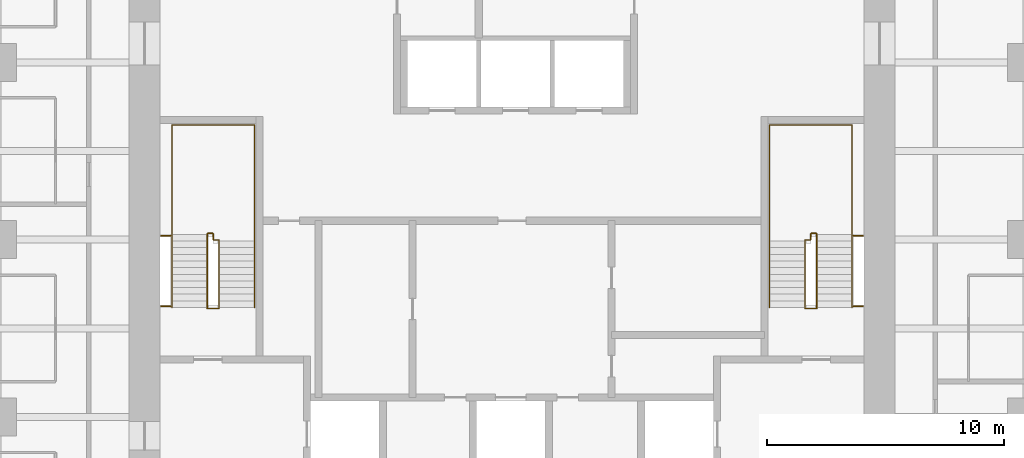
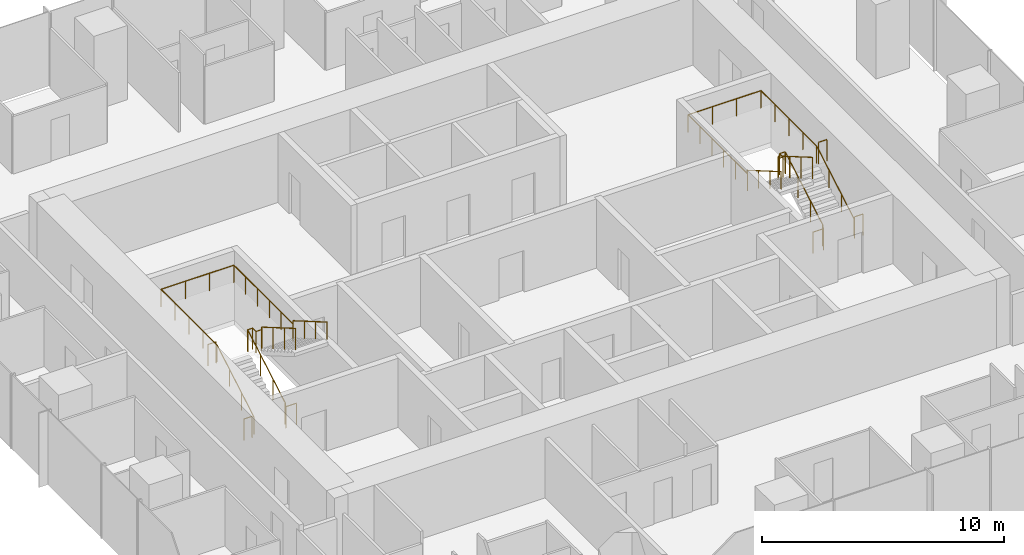
# One storey, part 12 of 12: 8 railings.
"""IFC4 building model written with IfcOpenShell, lengths in metres."""

import ifcopenshell
import ifcopenshell.guid

model = None  # the IFC model being written
_history = None  # IfcOwnerHistory: only IFC2X3 demands one
_inside = {}  # id of a spatial element -> (the spatial element, [elements in it])
_under = {}  # id of a project, library or spatial element -> (it, [spatial elements below it])
_declared = {}  # id of a project -> (the project, [libraries it declares])
_typed = {}  # id of a type object -> (the type object, [elements of that type])
_made_of = {}  # id of a material, layer set ... -> (it, [elements and type objects made of it])


def new_model(schema):
    """Start an empty IFC model of exactly this schema.

    Asked for "IFC4X3", IfcOpenShell would pick the latest addendum, in which some entities
    have other attributes; the version numbers below select the first issue.
    IFC2X3 requires an IfcOwnerHistory on every rooted entity: one is made here for all.
    """
    global model, _history
    if schema == "IFC4X3":
        model = ifcopenshell.file(schema_version=(4, 3, 0, 0))
    else:
        model = ifcopenshell.file(schema=schema)
    _inside.clear()
    _under.clear()
    _declared.clear()
    _typed.clear()
    _made_of.clear()
    _history = None
    if model.schema == "IFC2X3":
        org = make("IfcOrganization", Name="unknown")
        user = make(
            "IfcPersonAndOrganization",
            ThePerson=make("IfcPerson", FamilyName="unknown"),
            TheOrganization=org,
        )
        app = make(
            "IfcApplication",
            ApplicationDeveloper=org,
            Version="unknown",
            ApplicationFullName="unknown",
            ApplicationIdentifier="unknown",
        )
        _history = make(
            "IfcOwnerHistory",
            OwningUser=user,
            OwningApplication=app,
            ChangeAction="ADDED",
            CreationDate=0,
        )
    return model


def make(cls, **values):
    """One entity of the class cls with the attributes given. An attribute that is None is left unset."""
    return model.create_entity(
        cls, **{name: value for name, value in values.items() if value is not None}
    )


def rooted(cls, **values):
    """An entity with a GlobalId (a new one), such as an element, a storey or a relation."""
    return make(cls, GlobalId=ifcopenshell.guid.new(), OwnerHistory=_history, **values)


def si_unit(unit_type, name, prefix=None):
    """IfcSIUnit, for example si_unit("LENGTHUNIT", "METRE", prefix="MILLI")."""
    return make("IfcSIUnit", UnitType=unit_type, Prefix=prefix, Name=name)


def assignment(units):
    """IfcUnitAssignment: the units of a project."""
    return None if units is None else make("IfcUnitAssignment", Units=units)


def point(xyz):
    """IfcCartesianPoint."""
    return None if xyz is None else make("IfcCartesianPoint", Coordinates=xyz)


def direction(xyz):
    """IfcDirection."""
    return None if xyz is None else make("IfcDirection", DirectionRatios=xyz)


def frame(location, z_axis=None, x_axis=None):
    """IfcAxis2Placement3D, a coordinate frame: its origin and axes. An axis left out is left unset."""
    return make(
        "IfcAxis2Placement3D",
        Location=point(location),
        Axis=direction(z_axis),
        RefDirection=direction(x_axis),
    )


def frame_2d(location, x_axis=None):
    """IfcAxis2Placement2D, a coordinate frame in the plane: its origin and x axis."""
    return make(
        "IfcAxis2Placement2D", Location=point(location), RefDirection=direction(x_axis)
    )


def origin():
    """The frame at (0, 0, 0) with its axes left unset."""
    return frame((0.0, 0.0, 0.0))


def origin_2d():
    """The frame at (0, 0) in the plane with its x axis left unset."""
    return frame_2d((0.0, 0.0))


def place(relative_to, where):
    """IfcLocalPlacement: puts the frame where relative to a parent placement (None: the world)."""
    return make(
        "IfcLocalPlacement", PlacementRelTo=relative_to, RelativePlacement=where
    )


def context(
    kind, dimensions, precision=None, world=None, true_north=None, identifier=None
):
    """IfcGeometricRepresentationContext, for example the 3D "Model" context."""
    return make(
        "IfcGeometricRepresentationContext",
        ContextIdentifier=identifier,
        ContextType=kind,
        CoordinateSpaceDimension=dimensions,
        Precision=precision,
        WorldCoordinateSystem=world,
        TrueNorth=true_north,
    )


def subcontext(parent, identifier, kind, view, scale=None):
    """IfcGeometricRepresentationSubContext, for example "Body" below "Model"."""
    return make(
        "IfcGeometricRepresentationSubContext",
        ContextIdentifier=identifier,
        ContextType=kind,
        ParentContext=parent,
        TargetScale=scale,
        TargetView=view,
    )


def project(units=None, contexts=None):
    """IfcProject with its units and contexts."""
    return rooted(
        "IfcProject",
        Name="project",
        RepresentationContexts=contexts,
        UnitsInContext=assignment(units),
    )


def spatial(cls, under=None, at=None, **own):
    """A site, building, storey or space (cls), placed at a placement, below another one or the project."""
    s = rooted(cls, ObjectPlacement=at, **own)
    if under is not None:
        _under.setdefault(under.id(), (under, []))[1].append(s)
    return s


def profile(cls, at=None, kind="AREA", **sizes):
    """A parametric profile (cls). Its sizes go by their IFC names, for example OverallWidth=200.0."""
    return make(cls, ProfileType=kind, Position=at, **sizes)


def circle(**sizes):
    """IfcCircleProfileDef."""
    return profile("IfcCircleProfileDef", **sizes)


def extrude(swept, where, along, depth):
    """IfcExtrudedAreaSolid: the profile swept, set in the frame where, extruded along a direction by depth."""
    return make(
        "IfcExtrudedAreaSolid",
        SweptArea=swept,
        Position=where,
        ExtrudedDirection=direction(along),
        Depth=depth,
    )


def shape(context_of_items, identifier, shape_type, items):
    """IfcShapeRepresentation: the items that make up one representation, for example the "Body"."""
    return make(
        "IfcShapeRepresentation",
        ContextOfItems=context_of_items,
        RepresentationIdentifier=identifier,
        RepresentationType=shape_type,
        Items=items,
    )


def material(Name=None, Category=None):
    """IfcMaterial."""
    return make("IfcMaterial", Name=Name, Category=Category)


def made_of(thing, what):
    """Note that an element or type object is made of a material, layer set ...; save() writes the relation."""
    if what is not None:
        _made_of.setdefault(what.id(), (what, []))[1].append(thing)
    return thing


def type_object(cls, material=None, **own):
    """A type object (cls), such as IfcWallType, which elements share."""
    return made_of(rooted(cls, **own), material)


def element(
    cls,
    number,
    at=None,
    inside=None,
    cuts=None,
    type_object=None,
    material=None,
    context=None,
    identifier="Body",
    shape_type=None,
    held_by="IfcProductDefinitionShape",
    body=None,
    shapes=None,
    **own,
):
    """One element of the class cls, such as IfcWall. Its Tag is "e" and its number.

    at: its placement. inside: the storey or other place that contains it. cuts: it is an
    opening in that element (IfcRelVoidsElement). A single representation is given by context,
    identifier, shape_type and body (its items); several are given by shapes. held_by: the class
    of the entity that holds the representations. save() writes the other relations.
    """
    e = rooted(cls, Tag="e%d" % number, ObjectPlacement=at, **own)
    if body is not None:
        shapes = [shape(context, identifier, shape_type, body)]
    if shapes is not None:
        e.Representation = make(held_by, Representations=shapes)
    if inside is not None:
        _inside.setdefault(inside.id(), (inside, []))[1].append(e)
    if cuts is not None:
        rooted(
            "IfcRelVoidsElement", RelatingBuildingElement=cuts, RelatedOpeningElement=e
        )
    if type_object is not None:
        _typed.setdefault(type_object.id(), (type_object, []))[1].append(e)
    return made_of(e, material)


def aggregate(whole, parts):
    """IfcRelAggregates: a whole, such as a stair, and the parts it consists of."""
    return rooted("IfcRelAggregates", RelatingObject=whole, RelatedObjects=parts)


def save(model, path):
    """Write the relations noted so far, then the file.

    IfcRelAggregates (storeys below a building ...), IfcRelContainedInSpatialStructure (elements
    in a storey), IfcRelDefinesByType, IfcRelAssociatesMaterial and IfcRelDeclares: one each for
    every whole, place, type object, material and project.
    """
    for whole, parts in _under.values():
        aggregate(whole, parts)
    for where, things in _inside.values():
        rooted(
            "IfcRelContainedInSpatialStructure",
            RelatedElements=things,
            RelatingStructure=where,
        )
    for kind, things in _typed.values():
        rooted("IfcRelDefinesByType", RelatedObjects=things, RelatingType=kind)
    for what, things in _made_of.values():
        rooted("IfcRelAssociatesMaterial", RelatedObjects=things, RelatingMaterial=what)
    for by, libraries in _declared.values():
        rooted("IfcRelDeclares", RelatingContext=by, RelatedDefinitions=libraries)
    model.write(path)


model = new_model("IFC4")

# Units and contexts
model_context = context("Model", 3, precision=1e-05, world=origin(), true_north=direction((0.0, 1.0)))
body_context = subcontext(model_context, "Body", "Model", "MODEL_VIEW")
ifc_project = project(units=[si_unit("LENGTHUNIT", "METRE"), si_unit("AREAUNIT", "SQUARE_METRE"), si_unit("VOLUMEUNIT", "CUBIC_METRE"), si_unit("PLANEANGLEUNIT", "RADIAN"), si_unit("MASSUNIT", "GRAM", prefix="KILO")], contexts=[model_context])

# Site, building, storey
site_placement = place(None, origin())
site = spatial("IfcSite", under=ifc_project, at=site_placement, CompositionType="ELEMENT")
building_placement = place(site_placement, origin())
building = spatial("IfcBuilding", under=site, at=building_placement, Name="Khuree Lantern Residences", CompositionType="ELEMENT")
storey_placement = place(building_placement, frame((0.0, 0.0, 319.5)))
storey = spatial("IfcBuildingStorey", under=building, at=storey_placement, Name="L80", CompositionType="ELEMENT", Elevation=319.5)

# Railings
ifc_material = material(Name="Steel S355", Category="steel")
railing_type_1 = type_object("IfcRailingType", Name="STAIR GUARD G1 1100", PredefinedType="GUARDRAIL", material=ifc_material)
railing_1_placement = place(storey_placement, frame((-12.35009765625, -2.909912109375, 0.0)))
element("IfcRailing", 1, at=railing_1_placement, inside=storey, type_object=railing_type_1, Name="Stair ST1 guard", PredefinedType="GUARDRAIL", context=body_context, shape_type="SweptSolid", body=[
    extrude(circle(Radius=0.02392578125, at=origin_2d()), frame((0.0, 0.0, 1.076171875), z_axis=(-1.0, 0.0, 0.0), x_axis=(0.0, -1.0, 0.0)), (0.0, 0.0, 1.0), 0.5),
    extrude(circle(Radius=0.02392578125, at=origin_2d()), frame((-0.5, 0.0, 1.076171875), z_axis=(0.0, 0.292073035251, 0.95639601739), x_axis=(-1.0, 0.0, 0.0)), (0.0, 0.0, 1.0), 0.17041015625),
    extrude(circle(Radius=0.02392578125, at=origin_2d()), frame((-0.5, 0.0498046875, 1.2392578125), z_axis=(0.0, 0.864176135923, 0.503189433615), x_axis=(-1.0, 0.0, 0.0)), (0.0, 0.0, 1.0), 3.564208984375),
    extrude(circle(Radius=0.02392578125, at=origin_2d()), frame((-0.5, 3.1298828125, 3.03271484375), z_axis=(0.0, 1.0, 0.0), x_axis=(-1.0, 0.0, 0.0)), (0.0, 0.0, 1.0), 0.050048828125),
    extrude(circle(Radius=0.02392578125, at=origin_2d()), frame((-0.5, 3.179931640625, 3.03271484375), z_axis=(1.0, 0.0, 0.0), x_axis=(0.0, 1.0, 0.0)), (0.0, 0.0, 1.0), 0.25),
    extrude(circle(Radius=0.02392578125, at=origin_2d()), frame((-0.25, 3.179931640625, 3.03271484375), z_axis=(0.0, -1.0, 0.0), x_axis=(1.0, 0.0, 0.0)), (0.0, 0.0, 1.0), 0.280029296875),
    extrude(circle(Radius=0.02392578125, at=origin_2d()), frame((-0.25, 2.89990234375, 3.03271484375), z_axis=(1.0, 0.0, 0.0), x_axis=(0.0, 1.0, 0.0)), (0.0, 0.0, 1.0), 0.25),
    extrude(circle(Radius=0.02392578125, at=origin_2d()), frame((0.0, 2.89990234375, 3.03271484375), z_axis=(0.0, -0.293381807449, 0.955995353053), x_axis=(1.0, 0.0, 0.0)), (0.0, 0.0, 1.0), 0.170654296875),
    extrude(circle(Radius=0.02392578125, at=origin_2d()), frame((0.0, 2.849853515625, 3.19580078125), z_axis=(0.0, -0.864180358799, 0.503182181189), x_axis=(1.0, 0.0, 0.0)), (0.0, 0.0, 1.0), 3.240234375),
    extrude(circle(Radius=0.02099609375, at=origin_2d()), origin(), (0.0, 0.0, 1.0), 1.052001953125),
    extrude(circle(Radius=0.02099609375, at=origin_2d()), frame((-0.5, 0.0, 0.0)), (0.0, 0.0, 1.0), 1.052001953125),
    extrude(circle(Radius=0.02099609375, at=origin_2d()), frame((-0.5, 0.0498046875, 0.1630859375)), (0.0, 0.0, 1.0), 1.052001953125),
    extrude(circle(Radius=0.02099609375, at=origin_2d()), frame((-0.5, 1.076416015625, 0.760986328125)), (0.0, 0.0, 1.0), 1.052001953125),
    extrude(circle(Radius=0.02099609375, at=origin_2d()), frame((-0.5, 2.103271484375, 1.358642578125)), (0.0, 0.0, 1.0), 1.052001953125),
    extrude(circle(Radius=0.02099609375, at=origin_2d()), frame((-0.5, 3.1298828125, 1.95654296875)), (0.0, 0.0, 1.0), 1.052001953125),
    extrude(circle(Radius=0.02099609375, at=origin_2d()), frame((-0.5, 3.179931640625, 1.95654296875)), (0.0, 0.0, 1.0), 1.052001953125),
    extrude(circle(Radius=0.02099609375, at=origin_2d()), frame((-0.25, 3.179931640625, 1.95654296875)), (0.0, 0.0, 1.0), 1.052001953125),
    extrude(circle(Radius=0.02099609375, at=origin_2d()), frame((-0.25, 2.89990234375, 1.95654296875)), (0.0, 0.0, 1.0), 1.052001953125),
    extrude(circle(Radius=0.02099609375, at=origin_2d()), frame((0.0, 2.89990234375, 1.95654296875)), (0.0, 0.0, 1.0), 1.052001953125),
    extrude(circle(Radius=0.02099609375, at=origin_2d()), frame((0.0, 2.849853515625, 2.11962890625)), (0.0, 0.0, 1.0), 1.052001953125),
    extrude(circle(Radius=0.02099609375, at=origin_2d()), frame((0.0, 1.91650390625, 2.6630859375)), (0.0, 0.0, 1.0), 1.052001953125),
    extrude(circle(Radius=0.02099609375, at=origin_2d()), frame((0.0, 0.983154296875, 3.20654296875)), (0.0, 0.0, 1.0), 1.052001953125),
    extrude(circle(Radius=0.02099609375, at=origin_2d()), frame((0.0, 0.0498046875, 3.75)), (0.0, 0.0, 1.0), 1.052001953125),
])
for number, where, name in (
    (2, (-14.800048828125, -2.81005859375, 0.0), "Stair ST1 landing slot guard"),
    (3, (-14.800048828125, 0.169921875, 1.95654296875), "Stair ST1 landing slot guard"),
):
    element("IfcRailing", number, at=place(storey_placement, frame(where)), inside=storey, type_object=railing_type_1, Name=name, PredefinedType="GUARDRAIL", context=body_context, shape_type="SweptSolid", body=[
        extrude(circle(Radius=0.02392578125, at=origin_2d()), frame((0.0, 0.0, 1.076171875), z_axis=(1.0, 0.0, 0.0), x_axis=(0.0, 1.0, 0.0)), (0.0, 0.0, 1.0), 0.400146484375),
        extrude(circle(Radius=0.02099609375, at=origin_2d()), origin(), (0.0, 0.0, 1.0), 1.052001953125),
        extrude(circle(Radius=0.02099609375, at=origin_2d()), frame((0.400146484375, 0.0, 0.0)), (0.0, 0.0, 1.0), 1.052001953125),
    ])
railing_2_placement = place(storey_placement, frame((12.35009765625, -2.909912109375, 0.0)))
element("IfcRailing", 4, at=railing_2_placement, inside=storey, type_object=railing_type_1, Name="Stair ST2 guard", PredefinedType="GUARDRAIL", context=body_context, shape_type="SweptSolid", body=[
    extrude(circle(Radius=0.02392578125, at=origin_2d()), frame((0.0, 0.0, 1.076171875), z_axis=(1.0, 0.0, 0.0), x_axis=(0.0, 1.0, 0.0)), (0.0, 0.0, 1.0), 0.5),
    extrude(circle(Radius=0.02392578125, at=origin_2d()), frame((0.5, 0.0, 1.076171875), z_axis=(0.0, 0.292073035251, 0.95639601739), x_axis=(-1.0, 0.0, 0.0)), (0.0, 0.0, 1.0), 0.17041015625),
    extrude(circle(Radius=0.02392578125, at=origin_2d()), frame((0.5, 0.0498046875, 1.2392578125), z_axis=(0.0, 0.864176135923, 0.503189433615), x_axis=(-1.0, 0.0, 0.0)), (0.0, 0.0, 1.0), 3.564208984375),
    extrude(circle(Radius=0.02392578125, at=origin_2d()), frame((0.5, 3.1298828125, 3.03271484375), z_axis=(0.0, 1.0, 0.0), x_axis=(-1.0, 0.0, 0.0)), (0.0, 0.0, 1.0), 0.050048828125),
    extrude(circle(Radius=0.02392578125, at=origin_2d()), frame((0.5, 3.179931640625, 3.03271484375), z_axis=(-1.0, 0.0, 0.0), x_axis=(0.0, -1.0, 0.0)), (0.0, 0.0, 1.0), 0.25),
    extrude(circle(Radius=0.02392578125, at=origin_2d()), frame((0.25, 3.179931640625, 3.03271484375), z_axis=(0.0, -1.0, 0.0), x_axis=(1.0, 0.0, 0.0)), (0.0, 0.0, 1.0), 0.280029296875),
    extrude(circle(Radius=0.02392578125, at=origin_2d()), frame((0.25, 2.89990234375, 3.03271484375), z_axis=(-1.0, 0.0, 0.0), x_axis=(0.0, -1.0, 0.0)), (0.0, 0.0, 1.0), 0.25),
    extrude(circle(Radius=0.02392578125, at=origin_2d()), frame((0.0, 2.89990234375, 3.03271484375), z_axis=(0.0, -0.293381807449, 0.955995353053), x_axis=(1.0, 0.0, 0.0)), (0.0, 0.0, 1.0), 0.170654296875),
    extrude(circle(Radius=0.02392578125, at=origin_2d()), frame((0.0, 2.849853515625, 3.19580078125), z_axis=(0.0, -0.864180358799, 0.503182181189), x_axis=(1.0, 0.0, 0.0)), (0.0, 0.0, 1.0), 3.240234375),
    extrude(circle(Radius=0.02099609375, at=origin_2d()), origin(), (0.0, 0.0, 1.0), 1.052001953125),
    extrude(circle(Radius=0.02099609375, at=origin_2d()), frame((0.5, 0.0, 0.0)), (0.0, 0.0, 1.0), 1.052001953125),
    extrude(circle(Radius=0.02099609375, at=origin_2d()), frame((0.5, 0.0498046875, 0.1630859375)), (0.0, 0.0, 1.0), 1.052001953125),
    extrude(circle(Radius=0.02099609375, at=origin_2d()), frame((0.5, 1.076416015625, 0.760986328125)), (0.0, 0.0, 1.0), 1.052001953125),
    extrude(circle(Radius=0.02099609375, at=origin_2d()), frame((0.5, 2.103271484375, 1.358642578125)), (0.0, 0.0, 1.0), 1.052001953125),
    extrude(circle(Radius=0.02099609375, at=origin_2d()), frame((0.5, 3.1298828125, 1.95654296875)), (0.0, 0.0, 1.0), 1.052001953125),
    extrude(circle(Radius=0.02099609375, at=origin_2d()), frame((0.5, 3.179931640625, 1.95654296875)), (0.0, 0.0, 1.0), 1.052001953125),
    extrude(circle(Radius=0.02099609375, at=origin_2d()), frame((0.25, 3.179931640625, 1.95654296875)), (0.0, 0.0, 1.0), 1.052001953125),
    extrude(circle(Radius=0.02099609375, at=origin_2d()), frame((0.25, 2.89990234375, 1.95654296875)), (0.0, 0.0, 1.0), 1.052001953125),
    extrude(circle(Radius=0.02099609375, at=origin_2d()), frame((0.0, 2.89990234375, 1.95654296875)), (0.0, 0.0, 1.0), 1.052001953125),
    extrude(circle(Radius=0.02099609375, at=origin_2d()), frame((0.0, 2.849853515625, 2.11962890625)), (0.0, 0.0, 1.0), 1.052001953125),
    extrude(circle(Radius=0.02099609375, at=origin_2d()), frame((0.0, 1.91650390625, 2.6630859375)), (0.0, 0.0, 1.0), 1.052001953125),
    extrude(circle(Radius=0.02099609375, at=origin_2d()), frame((0.0, 0.983154296875, 3.20654296875)), (0.0, 0.0, 1.0), 1.052001953125),
    extrude(circle(Radius=0.02099609375, at=origin_2d()), frame((0.0, 0.0498046875, 3.75)), (0.0, 0.0, 1.0), 1.052001953125),
])
for number, where, name in (
    (5, (14.800048828125, -2.81005859375, 0.0), "Stair ST2 landing slot guard"),
    (6, (14.800048828125, 0.169921875, 1.95654296875), "Stair ST2 landing slot guard"),
):
    element("IfcRailing", number, at=place(storey_placement, frame(where)), inside=storey, type_object=railing_type_1, Name=name, PredefinedType="GUARDRAIL", context=body_context, shape_type="SweptSolid", body=[
        extrude(circle(Radius=0.02392578125, at=origin_2d()), frame((0.0, 0.0, 1.076171875), z_axis=(-1.0, 0.0, 0.0), x_axis=(0.0, -1.0, 0.0)), (0.0, 0.0, 1.0), 0.400146484375),
        extrude(circle(Radius=0.02099609375, at=origin_2d()), origin(), (0.0, 0.0, 1.0), 1.052001953125),
        extrude(circle(Radius=0.02099609375, at=origin_2d()), frame((-0.400146484375, 0.0, 0.0)), (0.0, 0.0, 1.0), 1.052001953125),
    ])
railing_type_2 = type_object("IfcRailingType", Name="STAIR HANDRAIL H1 900", PredefinedType="HANDRAIL", material=ifc_material)
railing_3_placement = place(storey_placement, frame((-14.340087890625, -2.860107421875, 0.1630859375)))
element("IfcRailing", 7, at=railing_3_placement, inside=storey, type_object=railing_type_2, Name="Stair ST1 handrail", PredefinedType="HANDRAIL", context=body_context, shape_type="SweptSolid", body=[
    extrude(circle(Radius=0.02392578125, at=origin_2d()), frame((0.0, 0.0, 0.8759765625), z_axis=(0.0, 0.864176135923, 0.503189433615), x_axis=(-1.0, 0.0, 0.0)), (0.0, 0.0, 1.0), 3.564208984375),
    extrude(circle(Radius=0.02392578125, at=origin_2d()), frame((0.0, 3.080078125, 2.66943359375), z_axis=(0.0, 1.0, 0.0), x_axis=(-1.0, 0.0, 0.0)), (0.0, 0.0, 1.0), 4.6201171875),
    extrude(circle(Radius=0.02392578125, at=origin_2d()), frame((0.0, 7.7001953125, 2.66943359375), z_axis=(1.0, 0.0, 0.0), x_axis=(0.0, 1.0, 0.0)), (0.0, 0.0, 1.0), 3.47998046875),
    extrude(circle(Radius=0.02392578125, at=origin_2d()), frame((3.47998046875, 7.7001953125, 2.66943359375), z_axis=(0.0, -1.0, 0.0), x_axis=(1.0, 0.0, 0.0)), (0.0, 0.0, 1.0), 4.900146484375),
    extrude(circle(Radius=0.02392578125, at=origin_2d()), frame((3.47998046875, 2.800048828125, 2.66943359375), z_axis=(0.0, 0.0, 1.0), x_axis=(1.0, 0.0, 0.0)), (0.0, 0.0, 1.0), 0.1630859375),
    extrude(circle(Radius=0.02392578125, at=origin_2d()), frame((3.47998046875, 2.800048828125, 2.83251953125), z_axis=(0.0, -0.864180358799, 0.503182181189), x_axis=(1.0, 0.0, 0.0)), (0.0, 0.0, 1.0), 3.240234375),
    extrude(circle(Radius=0.02099609375, at=origin_2d()), origin(), (0.0, 0.0, 1.0), 0.851806640625),
    extrude(circle(Radius=0.02099609375, at=origin_2d()), frame((0.0, 1.026611328125, 0.597900390625)), (0.0, 0.0, 1.0), 0.851806640625),
    extrude(circle(Radius=0.02099609375, at=origin_2d()), frame((0.0, 2.053466796875, 1.195556640625)), (0.0, 0.0, 1.0), 0.851806640625),
    extrude(circle(Radius=0.02099609375, at=origin_2d()), frame((0.0, 3.080078125, 1.79345703125)), (0.0, 0.0, 1.0), 0.851806640625),
    extrude(circle(Radius=0.02099609375, at=origin_2d()), frame((0.0, 4.235107421875, 1.79345703125)), (0.0, 0.0, 1.0), 0.851806640625),
    extrude(circle(Radius=0.02099609375, at=origin_2d()), frame((0.0, 5.39013671875, 1.79345703125)), (0.0, 0.0, 1.0), 0.851806640625),
    extrude(circle(Radius=0.02099609375, at=origin_2d()), frame((0.0, 6.545166015625, 1.79345703125)), (0.0, 0.0, 1.0), 0.851806640625),
    extrude(circle(Radius=0.02099609375, at=origin_2d()), frame((0.0, 7.7001953125, 1.79345703125)), (0.0, 0.0, 1.0), 0.851806640625),
    extrude(circle(Radius=0.02099609375, at=origin_2d()), frame((1.159912109375, 7.7001953125, 1.79345703125)), (0.0, 0.0, 1.0), 0.851806640625),
    extrude(circle(Radius=0.02099609375, at=origin_2d()), frame((2.320068359375, 7.7001953125, 1.79345703125)), (0.0, 0.0, 1.0), 0.851806640625),
    extrude(circle(Radius=0.02099609375, at=origin_2d()), frame((3.47998046875, 7.7001953125, 1.79345703125)), (0.0, 0.0, 1.0), 0.851806640625),
    extrude(circle(Radius=0.02099609375, at=origin_2d()), frame((3.47998046875, 6.72021484375, 1.79345703125)), (0.0, 0.0, 1.0), 0.851806640625),
    extrude(circle(Radius=0.02099609375, at=origin_2d()), frame((3.47998046875, 5.740234375, 1.79345703125)), (0.0, 0.0, 1.0), 0.851806640625),
    extrude(circle(Radius=0.02099609375, at=origin_2d()), frame((3.47998046875, 4.760009765625, 1.79345703125)), (0.0, 0.0, 1.0), 0.851806640625),
    extrude(circle(Radius=0.02099609375, at=origin_2d()), frame((3.47998046875, 3.780029296875, 1.79345703125)), (0.0, 0.0, 1.0), 0.851806640625),
    extrude(circle(Radius=0.02099609375, at=origin_2d()), frame((3.47998046875, 2.800048828125, 1.79345703125)), (0.0, 0.0, 1.0), 0.851806640625),
    extrude(circle(Radius=0.02099609375, at=origin_2d()), frame((3.47998046875, 2.800048828125, 1.95654296875)), (0.0, 0.0, 1.0), 0.851806640625),
    extrude(circle(Radius=0.02099609375, at=origin_2d()), frame((3.47998046875, 1.86669921875, 2.5)), (0.0, 0.0, 1.0), 0.851806640625),
    extrude(circle(Radius=0.02099609375, at=origin_2d()), frame((3.47998046875, 0.933349609375, 3.04345703125)), (0.0, 0.0, 1.0), 0.851806640625),
    extrude(circle(Radius=0.02099609375, at=origin_2d()), frame((3.47998046875, 0.0, 3.5869140625)), (0.0, 0.0, 1.0), 0.851806640625),
])
railing_4_placement = place(storey_placement, frame((14.340087890625, -2.860107421875, 0.1630859375)))
element("IfcRailing", 8, at=railing_4_placement, inside=storey, type_object=railing_type_2, Name="Stair ST2 handrail", PredefinedType="HANDRAIL", context=body_context, shape_type="SweptSolid", body=[
    extrude(circle(Radius=0.02392578125, at=origin_2d()), frame((0.0, 0.0, 0.8759765625), z_axis=(0.0, 0.864176135923, 0.503189433615), x_axis=(-1.0, 0.0, 0.0)), (0.0, 0.0, 1.0), 3.564208984375),
    extrude(circle(Radius=0.02392578125, at=origin_2d()), frame((0.0, 3.080078125, 2.66943359375), z_axis=(0.0, 1.0, 0.0), x_axis=(-1.0, 0.0, 0.0)), (0.0, 0.0, 1.0), 4.6201171875),
    extrude(circle(Radius=0.02392578125, at=origin_2d()), frame((0.0, 7.7001953125, 2.66943359375), z_axis=(-1.0, 0.0, 0.0), x_axis=(0.0, -1.0, 0.0)), (0.0, 0.0, 1.0), 3.47998046875),
    extrude(circle(Radius=0.02392578125, at=origin_2d()), frame((-3.47998046875, 7.7001953125, 2.66943359375), z_axis=(0.0, -1.0, 0.0), x_axis=(1.0, 0.0, 0.0)), (0.0, 0.0, 1.0), 4.900146484375),
    extrude(circle(Radius=0.02392578125, at=origin_2d()), frame((-3.47998046875, 2.800048828125, 2.66943359375), z_axis=(0.0, 0.0, 1.0), x_axis=(1.0, 0.0, 0.0)), (0.0, 0.0, 1.0), 0.1630859375),
    extrude(circle(Radius=0.02392578125, at=origin_2d()), frame((-3.47998046875, 2.800048828125, 2.83251953125), z_axis=(0.0, -0.864180358799, 0.503182181189), x_axis=(1.0, 0.0, 0.0)), (0.0, 0.0, 1.0), 3.240234375),
    extrude(circle(Radius=0.02099609375, at=origin_2d()), origin(), (0.0, 0.0, 1.0), 0.851806640625),
    extrude(circle(Radius=0.02099609375, at=origin_2d()), frame((0.0, 1.026611328125, 0.597900390625)), (0.0, 0.0, 1.0), 0.851806640625),
    extrude(circle(Radius=0.02099609375, at=origin_2d()), frame((0.0, 2.053466796875, 1.195556640625)), (0.0, 0.0, 1.0), 0.851806640625),
    extrude(circle(Radius=0.02099609375, at=origin_2d()), frame((0.0, 3.080078125, 1.79345703125)), (0.0, 0.0, 1.0), 0.851806640625),
    extrude(circle(Radius=0.02099609375, at=origin_2d()), frame((0.0, 4.235107421875, 1.79345703125)), (0.0, 0.0, 1.0), 0.851806640625),
    extrude(circle(Radius=0.02099609375, at=origin_2d()), frame((0.0, 5.39013671875, 1.79345703125)), (0.0, 0.0, 1.0), 0.851806640625),
    extrude(circle(Radius=0.02099609375, at=origin_2d()), frame((0.0, 6.545166015625, 1.79345703125)), (0.0, 0.0, 1.0), 0.851806640625),
    extrude(circle(Radius=0.02099609375, at=origin_2d()), frame((0.0, 7.7001953125, 1.79345703125)), (0.0, 0.0, 1.0), 0.851806640625),
    extrude(circle(Radius=0.02099609375, at=origin_2d()), frame((-1.159912109375, 7.7001953125, 1.79345703125)), (0.0, 0.0, 1.0), 0.851806640625),
    extrude(circle(Radius=0.02099609375, at=origin_2d()), frame((-2.320068359375, 7.7001953125, 1.79345703125)), (0.0, 0.0, 1.0), 0.851806640625),
    extrude(circle(Radius=0.02099609375, at=origin_2d()), frame((-3.47998046875, 7.7001953125, 1.79345703125)), (0.0, 0.0, 1.0), 0.851806640625),
    extrude(circle(Radius=0.02099609375, at=origin_2d()), frame((-3.47998046875, 6.72021484375, 1.79345703125)), (0.0, 0.0, 1.0), 0.851806640625),
    extrude(circle(Radius=0.02099609375, at=origin_2d()), frame((-3.47998046875, 5.740234375, 1.79345703125)), (0.0, 0.0, 1.0), 0.851806640625),
    extrude(circle(Radius=0.02099609375, at=origin_2d()), frame((-3.47998046875, 4.760009765625, 1.79345703125)), (0.0, 0.0, 1.0), 0.851806640625),
    extrude(circle(Radius=0.02099609375, at=origin_2d()), frame((-3.47998046875, 3.780029296875, 1.79345703125)), (0.0, 0.0, 1.0), 0.851806640625),
    extrude(circle(Radius=0.02099609375, at=origin_2d()), frame((-3.47998046875, 2.800048828125, 1.79345703125)), (0.0, 0.0, 1.0), 0.851806640625),
    extrude(circle(Radius=0.02099609375, at=origin_2d()), frame((-3.47998046875, 2.800048828125, 1.95654296875)), (0.0, 0.0, 1.0), 0.851806640625),
    extrude(circle(Radius=0.02099609375, at=origin_2d()), frame((-3.47998046875, 1.86669921875, 2.5)), (0.0, 0.0, 1.0), 0.851806640625),
    extrude(circle(Radius=0.02099609375, at=origin_2d()), frame((-3.47998046875, 0.933349609375, 3.04345703125)), (0.0, 0.0, 1.0), 0.851806640625),
    extrude(circle(Radius=0.02099609375, at=origin_2d()), frame((-3.47998046875, 0.0, 3.5869140625)), (0.0, 0.0, 1.0), 0.851806640625),
])

save(model, "model.ifc")
